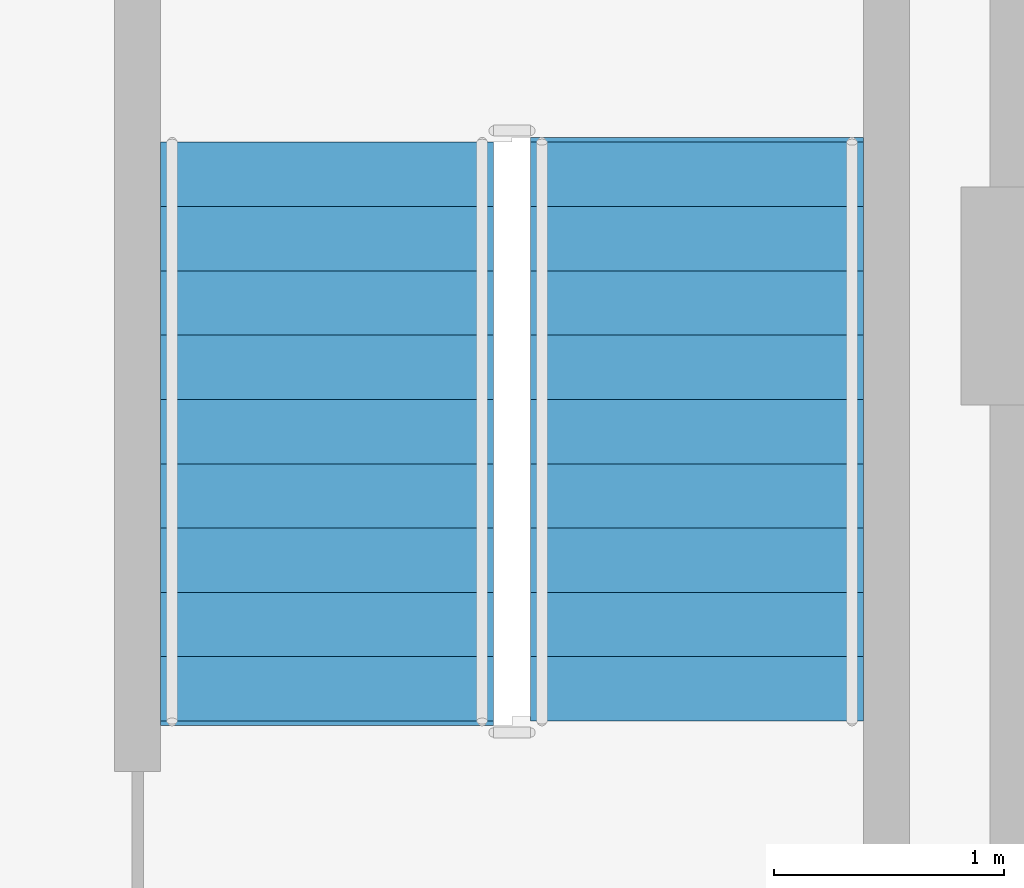
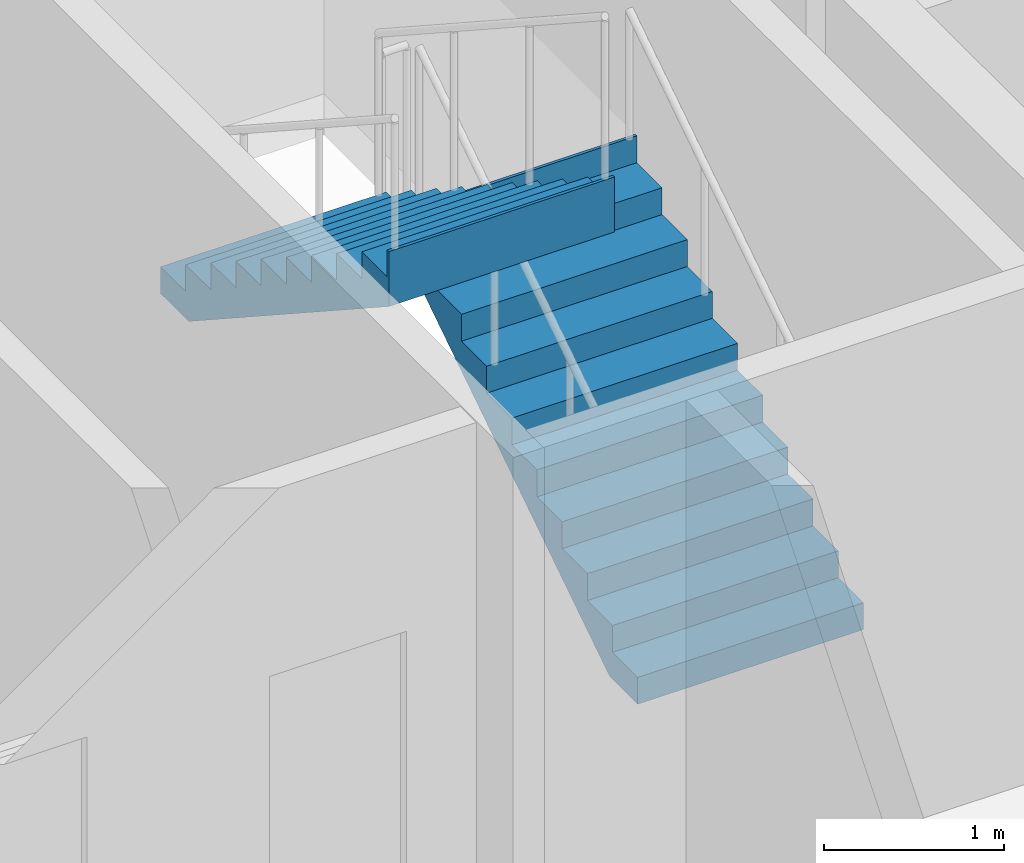
# One storey, part 11 of 15: 2 stair flights, 1 element without a shape of its own.
"""IFC4 building model written with IfcOpenShell, lengths in metres."""

import ifcopenshell
import ifcopenshell.guid

model = None  # the IFC model being written
_history = None  # IfcOwnerHistory: only IFC2X3 demands one
_inside = {}  # id of a spatial element -> (the spatial element, [elements in it])
_under = {}  # id of a project, library or spatial element -> (it, [spatial elements below it])
_declared = {}  # id of a project -> (the project, [libraries it declares])
_typed = {}  # id of a type object -> (the type object, [elements of that type])
_made_of = {}  # id of a material, layer set ... -> (it, [elements and type objects made of it])


def new_model(schema):
    """Start an empty IFC model of exactly this schema.

    Asked for "IFC4X3", IfcOpenShell would pick the latest addendum, in which some entities
    have other attributes; the version numbers below select the first issue.
    IFC2X3 requires an IfcOwnerHistory on every rooted entity: one is made here for all.
    """
    global model, _history
    if schema == "IFC4X3":
        model = ifcopenshell.file(schema_version=(4, 3, 0, 0))
    else:
        model = ifcopenshell.file(schema=schema)
    _inside.clear()
    _under.clear()
    _declared.clear()
    _typed.clear()
    _made_of.clear()
    _history = None
    if model.schema == "IFC2X3":
        org = make("IfcOrganization", Name="unknown")
        user = make(
            "IfcPersonAndOrganization",
            ThePerson=make("IfcPerson", FamilyName="unknown"),
            TheOrganization=org,
        )
        app = make(
            "IfcApplication",
            ApplicationDeveloper=org,
            Version="unknown",
            ApplicationFullName="unknown",
            ApplicationIdentifier="unknown",
        )
        _history = make(
            "IfcOwnerHistory",
            OwningUser=user,
            OwningApplication=app,
            ChangeAction="ADDED",
            CreationDate=0,
        )
    return model


def make(cls, **values):
    """One entity of the class cls with the attributes given. An attribute that is None is left unset."""
    return model.create_entity(
        cls, **{name: value for name, value in values.items() if value is not None}
    )


def rooted(cls, **values):
    """An entity with a GlobalId (a new one), such as an element, a storey or a relation."""
    return make(cls, GlobalId=ifcopenshell.guid.new(), OwnerHistory=_history, **values)


def si_unit(unit_type, name, prefix=None):
    """IfcSIUnit, for example si_unit("LENGTHUNIT", "METRE", prefix="MILLI")."""
    return make("IfcSIUnit", UnitType=unit_type, Prefix=prefix, Name=name)


def assignment(units):
    """IfcUnitAssignment: the units of a project."""
    return None if units is None else make("IfcUnitAssignment", Units=units)


def point(xyz):
    """IfcCartesianPoint."""
    return None if xyz is None else make("IfcCartesianPoint", Coordinates=xyz)


def direction(xyz):
    """IfcDirection."""
    return None if xyz is None else make("IfcDirection", DirectionRatios=xyz)


def frame(location, z_axis=None, x_axis=None):
    """IfcAxis2Placement3D, a coordinate frame: its origin and axes. An axis left out is left unset."""
    return make(
        "IfcAxis2Placement3D",
        Location=point(location),
        Axis=direction(z_axis),
        RefDirection=direction(x_axis),
    )


def origin():
    """The frame at (0, 0, 0) with its axes left unset."""
    return frame((0.0, 0.0, 0.0))


def place(relative_to, where):
    """IfcLocalPlacement: puts the frame where relative to a parent placement (None: the world)."""
    return make(
        "IfcLocalPlacement", PlacementRelTo=relative_to, RelativePlacement=where
    )


def context(
    kind, dimensions, precision=None, world=None, true_north=None, identifier=None
):
    """IfcGeometricRepresentationContext, for example the 3D "Model" context."""
    return make(
        "IfcGeometricRepresentationContext",
        ContextIdentifier=identifier,
        ContextType=kind,
        CoordinateSpaceDimension=dimensions,
        Precision=precision,
        WorldCoordinateSystem=world,
        TrueNorth=true_north,
    )


def subcontext(parent, identifier, kind, view, scale=None):
    """IfcGeometricRepresentationSubContext, for example "Body" below "Model"."""
    return make(
        "IfcGeometricRepresentationSubContext",
        ContextIdentifier=identifier,
        ContextType=kind,
        ParentContext=parent,
        TargetScale=scale,
        TargetView=view,
    )


def project(units=None, contexts=None):
    """IfcProject with its units and contexts."""
    return rooted(
        "IfcProject",
        Name="project",
        RepresentationContexts=contexts,
        UnitsInContext=assignment(units),
    )


def spatial(cls, under=None, at=None, **own):
    """A site, building, storey or space (cls), placed at a placement, below another one or the project."""
    s = rooted(cls, ObjectPlacement=at, **own)
    if under is not None:
        _under.setdefault(under.id(), (under, []))[1].append(s)
    return s


def polyline(points):
    """IfcPolyline through the points."""
    return make("IfcPolyline", Points=[point(p) for p in points])


def outline(outer, holes=None, kind="AREA"):
    """IfcArbitraryClosedProfileDef: a profile drawn as a closed curve; with holes, ...WithVoids."""
    if holes is None:
        return make("IfcArbitraryClosedProfileDef", ProfileType=kind, OuterCurve=outer)
    return make(
        "IfcArbitraryProfileDefWithVoids",
        ProfileType=kind,
        OuterCurve=outer,
        InnerCurves=holes,
    )


def extrude(swept, where, along, depth):
    """IfcExtrudedAreaSolid: the profile swept, set in the frame where, extruded along a direction by depth."""
    return make(
        "IfcExtrudedAreaSolid",
        SweptArea=swept,
        Position=where,
        ExtrudedDirection=direction(along),
        Depth=depth,
    )


def shape(context_of_items, identifier, shape_type, items):
    """IfcShapeRepresentation: the items that make up one representation, for example the "Body"."""
    return make(
        "IfcShapeRepresentation",
        ContextOfItems=context_of_items,
        RepresentationIdentifier=identifier,
        RepresentationType=shape_type,
        Items=items,
    )


def material(Name=None, Category=None):
    """IfcMaterial."""
    return make("IfcMaterial", Name=Name, Category=Category)


def made_of(thing, what):
    """Note that an element or type object is made of a material, layer set ...; save() writes the relation."""
    if what is not None:
        _made_of.setdefault(what.id(), (what, []))[1].append(thing)
    return thing


def type_object(cls, material=None, **own):
    """A type object (cls), such as IfcWallType, which elements share."""
    return made_of(rooted(cls, **own), material)


def element(
    cls,
    number,
    at=None,
    inside=None,
    cuts=None,
    type_object=None,
    material=None,
    context=None,
    identifier="Body",
    shape_type=None,
    held_by="IfcProductDefinitionShape",
    body=None,
    shapes=None,
    **own,
):
    """One element of the class cls, such as IfcWall. Its Tag is "e" and its number.

    at: its placement. inside: the storey or other place that contains it. cuts: it is an
    opening in that element (IfcRelVoidsElement). A single representation is given by context,
    identifier, shape_type and body (its items); several are given by shapes. held_by: the class
    of the entity that holds the representations. save() writes the other relations.
    """
    e = rooted(cls, Tag="e%d" % number, ObjectPlacement=at, **own)
    if body is not None:
        shapes = [shape(context, identifier, shape_type, body)]
    if shapes is not None:
        e.Representation = make(held_by, Representations=shapes)
    if inside is not None:
        _inside.setdefault(inside.id(), (inside, []))[1].append(e)
    if cuts is not None:
        rooted(
            "IfcRelVoidsElement", RelatingBuildingElement=cuts, RelatedOpeningElement=e
        )
    if type_object is not None:
        _typed.setdefault(type_object.id(), (type_object, []))[1].append(e)
    return made_of(e, material)


def aggregate(whole, parts):
    """IfcRelAggregates: a whole, such as a stair, and the parts it consists of."""
    return rooted("IfcRelAggregates", RelatingObject=whole, RelatedObjects=parts)


def save(model, path):
    """Write the relations noted so far, then the file.

    IfcRelAggregates (storeys below a building ...), IfcRelContainedInSpatialStructure (elements
    in a storey), IfcRelDefinesByType, IfcRelAssociatesMaterial and IfcRelDeclares: one each for
    every whole, place, type object, material and project.
    """
    for whole, parts in _under.values():
        aggregate(whole, parts)
    for where, things in _inside.values():
        rooted(
            "IfcRelContainedInSpatialStructure",
            RelatedElements=things,
            RelatingStructure=where,
        )
    for kind, things in _typed.values():
        rooted("IfcRelDefinesByType", RelatedObjects=things, RelatingType=kind)
    for what, things in _made_of.values():
        rooted("IfcRelAssociatesMaterial", RelatedObjects=things, RelatingMaterial=what)
    for by, libraries in _declared.values():
        rooted("IfcRelDeclares", RelatingContext=by, RelatedDefinitions=libraries)
    model.write(path)


model = new_model("IFC4")

# Units and contexts
model_context = context("Model", 3, precision=1e-05, world=origin(), true_north=direction((0.0, 1.0)))
body_context = subcontext(model_context, "Body", "Model", "MODEL_VIEW")
ifc_project = project(units=[si_unit("LENGTHUNIT", "METRE"), si_unit("AREAUNIT", "SQUARE_METRE"), si_unit("VOLUMEUNIT", "CUBIC_METRE"), si_unit("PLANEANGLEUNIT", "RADIAN"), si_unit("MASSUNIT", "GRAM", prefix="KILO")], contexts=[model_context])

# Site, building, storey
site_placement = place(None, origin())
site = spatial("IfcSite", under=ifc_project, at=site_placement, CompositionType="ELEMENT")
building_placement = place(site_placement, origin())
building = spatial("IfcBuilding", under=site, at=building_placement, Name="Nuvemarco Arch Tower", CompositionType="ELEMENT")
storey_placement = place(building_placement, frame((0.0, 0.0, 198.199951171875)))
storey = spatial("IfcBuildingStorey", under=building, at=storey_placement, Name="L52", CompositionType="ELEMENT", Elevation=198.199951171875)

# Stair, stair flights
ifc_material = material(Name="Precast concrete C45/55", Category="concrete")
stair_type = type_object("IfcStairType", Name="ST-CORE-20R", PredefinedType="HALF_TURN_STAIR", material=ifc_material)
stair_placement = place(storey_placement, origin())
stair = element("IfcStair", 1, at=stair_placement, inside=storey, type_object=stair_type, Name="L52 Protected Exit Stair ST-2", PredefinedType="HALF_TURN_STAIR")
stair_flight_type = type_object("IfcStairFlightType", Name="SF-CORE-20R", PredefinedType="STRAIGHT", material=ifc_material)
stair_flight_1_placement = place(storey_placement, frame((15.875, 2.64990234375, 0.0), z_axis=(0.0, 0.0, 1.0), x_axis=(0.0, 1.0, 0.0)))
stair_flight_1 = element("IfcStairFlight", 2, at=stair_flight_1_placement, type_object=stair_flight_type, Name="ST-20R flight 1", NumberOfRisers=10, NumberOfTreads=9, PredefinedType="STRAIGHT", RiserHeight=0.1825, TreadLength=0.28, context=body_context, shape_type="SweptSolid", body=[
    extrude(outline(polyline([(0.0, 0.0), (0.0, 0.1826171875), (0.280029296875, 0.1826171875), (0.280029296875, 0.364990234375), (0.56005859375, 0.364990234375), (0.56005859375, 0.547607421875), (0.840087890625, 0.547607421875), (0.840087890625, 0.72998046875), (1.1201171875, 0.72998046875), (1.1201171875, 0.91259765625), (1.39990234375, 0.91259765625), (1.39990234375, 1.094970703125), (1.679931640625, 1.094970703125), (1.679931640625, 1.277587890625), (1.9599609375, 1.277587890625), (1.9599609375, 1.4599609375), (2.239990234375, 1.4599609375), (2.239990234375, 1.642578125), (2.52001953125, 1.642578125), (2.52001953125, 1.824951171875), (2.5400390625, 1.824951171875), (2.5400390625, 1.45166015625), (0.312744140625, 0.0), (0.0, 0.0)])), frame((0.0, 0.72509765625, 0.0), z_axis=(0.0, -1.0, 0.0), x_axis=(1.0, 0.0, 0.0)), (0.0, 0.0, 1.0), 1.449951171875),
])
stair_flight_2_placement = place(storey_placement, frame((14.264892578125, 5.169921875, 1.824951171875), z_axis=(0.0, 0.0, 1.0), x_axis=(0.0, -1.0, 0.0)))
stair_flight_2 = element("IfcStairFlight", 3, at=stair_flight_2_placement, type_object=stair_flight_type, Name="ST-20R flight 2", NumberOfRisers=10, NumberOfTreads=9, PredefinedType="STRAIGHT", RiserHeight=0.1825, TreadLength=0.28, context=body_context, shape_type="SweptSolid", body=[
    extrude(outline(polyline([(0.0, 0.0), (0.0, 0.1826171875), (0.280029296875, 0.1826171875), (0.280029296875, 0.364990234375), (0.56005859375, 0.364990234375), (0.56005859375, 0.547607421875), (0.840087890625, 0.547607421875), (0.840087890625, 0.72998046875), (1.1201171875, 0.72998046875), (1.1201171875, 0.91259765625), (1.39990234375, 0.91259765625), (1.39990234375, 1.094970703125), (1.679931640625, 1.094970703125), (1.679931640625, 1.277587890625), (1.9599609375, 1.277587890625), (1.9599609375, 1.4599609375), (2.239990234375, 1.4599609375), (2.239990234375, 1.642578125), (2.52001953125, 1.642578125), (2.52001953125, 1.824951171875), (2.5400390625, 1.824951171875), (2.5400390625, 1.45166015625), (0.312744140625, 0.0), (0.0, 0.0)])), frame((0.0, 0.72509765625, 0.0), z_axis=(0.0, -1.0, 0.0), x_axis=(1.0, 0.0, 0.0)), (0.0, 0.0, 1.0), 1.449951171875),
])
aggregate(stair, [stair_flight_1, stair_flight_2])

save(model, "model.ifc")
